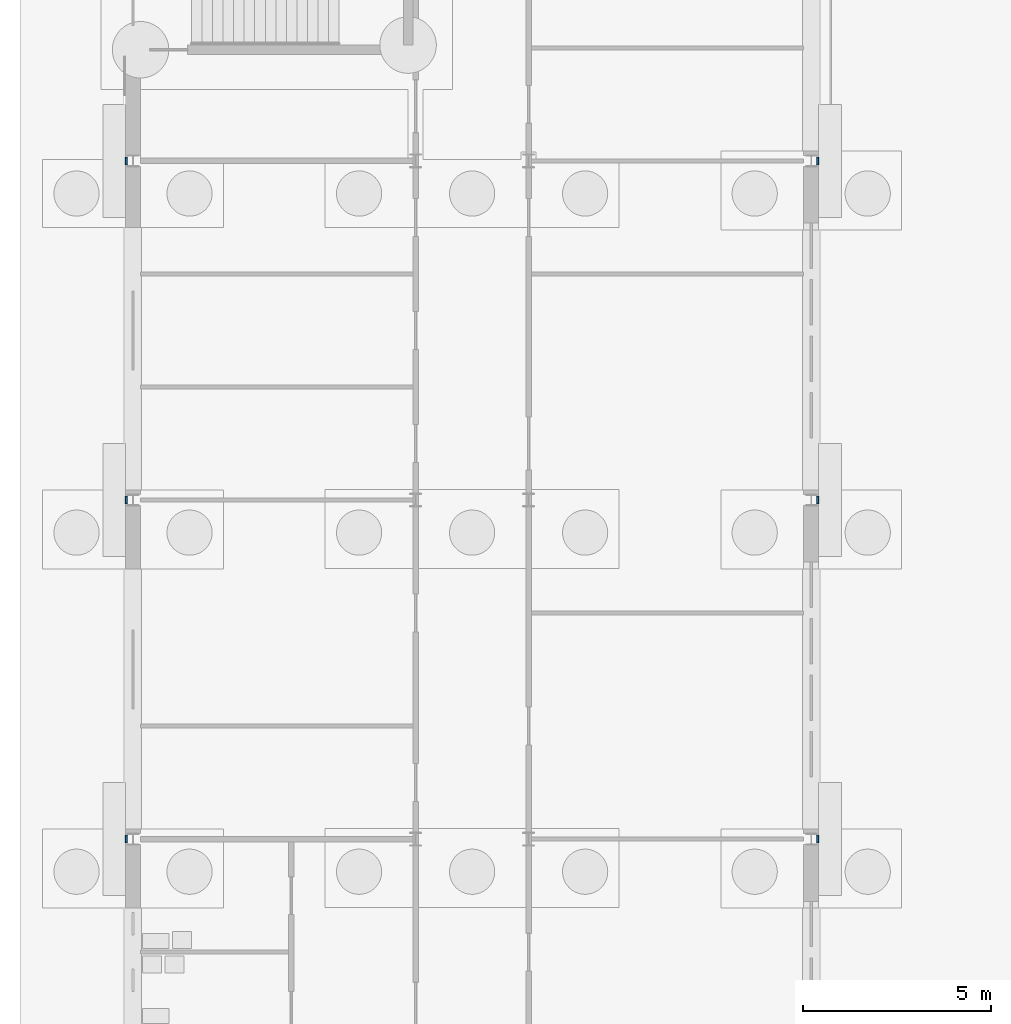
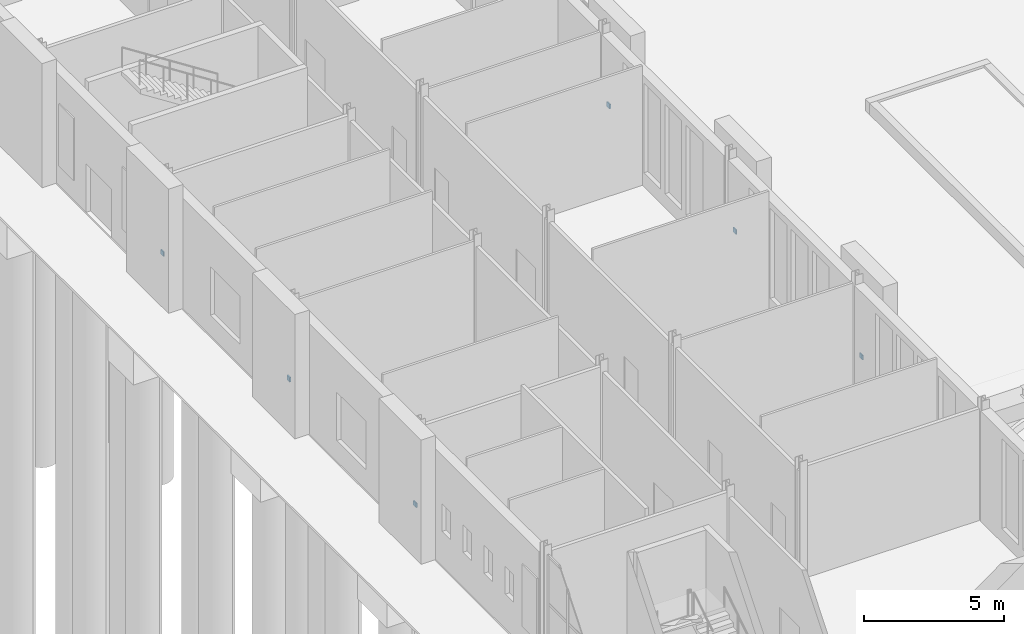
# One storey, part 114 of 168: 6 discrete accessories.
"""IFC4 building model written with IfcOpenShell, lengths in metres."""

from ifc_helpers import new_model, si_unit, direction, frame, origin, origin_2d, place, context, subcontext, project, spatial, rectangle, extrude, material, type_object, element, save


model = new_model("IFC4")

# Units and contexts
model_context = context("Model", 3, precision=1e-05, world=origin(), true_north=direction((0.0, 1.0)))
body_context = subcontext(model_context, "Body", "Model", "MODEL_VIEW")
ifc_project = project(units=[si_unit("LENGTHUNIT", "METRE"), si_unit("AREAUNIT", "SQUARE_METRE"), si_unit("VOLUMEUNIT", "CUBIC_METRE"), si_unit("PLANEANGLEUNIT", "RADIAN"), si_unit("MASSUNIT", "GRAM", prefix="KILO")], contexts=[model_context])

# Site, building, storey
site_placement = place(None, origin())
site = spatial("IfcSite", under=ifc_project, at=site_placement, CompositionType="ELEMENT")
building_placement = place(site_placement, origin())
building = spatial("IfcBuilding", under=site, at=building_placement, Name="Golden Quay Civic Hall", CompositionType="ELEMENT")
storey_placement = place(building_placement, origin())
storey = spatial("IfcBuildingStorey", under=building, at=storey_placement, Name="L00", CompositionType="ELEMENT", Elevation=0.0)

# Discrete accessories
ifc_material = material(Name="Steel S355", Category="steel")
discrete_accessory_type = type_object("IfcDiscreteAccessoryType", Name="Pier fixing bracket 200 x 200", PredefinedType="BRACKET", material=ifc_material)
for number, where, z_axis, x_axis, name in (
    (1, (-0.175048828125, 9.0, 1.39990234375), (0.0, 0.0, 1.0), (0.0, -1.0, 0.0), "Pier fixing bracket 200 x 200 L00 1"),
    (2, (-0.175048828125, 18.0, 1.39990234375), (0.0, 0.0, 1.0), (0.0, -1.0, 0.0), "Pier fixing bracket 200 x 200 L00 2"),
    (3, (-0.175048828125, 27.0, 1.39990234375), (0.0, 0.0, 1.0), (0.0, -1.0, 0.0), "Pier fixing bracket 200 x 200 L00 3"),
    (4, (18.175048828125, 9.0, 1.39990234375), (0.0, 0.0, 1.0), (0.0, 1.0, 0.0), "Pier fixing bracket 200 x 200 L00 8"),
    (5, (18.175048828125, 18.0, 1.39990234375), (0.0, 0.0, 1.0), (0.0, 1.0, 0.0), "Pier fixing bracket 200 x 200 L00 9"),
    (6, (18.175048828125, 27.0, 1.39990234375), (0.0, 0.0, 1.0), (0.0, 1.0, 0.0), "Pier fixing bracket 200 x 200 L00 10"),
):
    element("IfcDiscreteAccessory", number, at=place(storey_placement, frame(where, z_axis=z_axis, x_axis=x_axis)), inside=storey, type_object=discrete_accessory_type, Name=name, PredefinedType="BRACKET", context=body_context, shape_type="SweptSolid", body=[
        extrude(rectangle(XDim=0.199951171875, YDim=0.050048828125, at=origin_2d()), origin(), (0.0, 0.0, 1.0), 0.199951171875),
    ])

save(model, "model.ifc")
